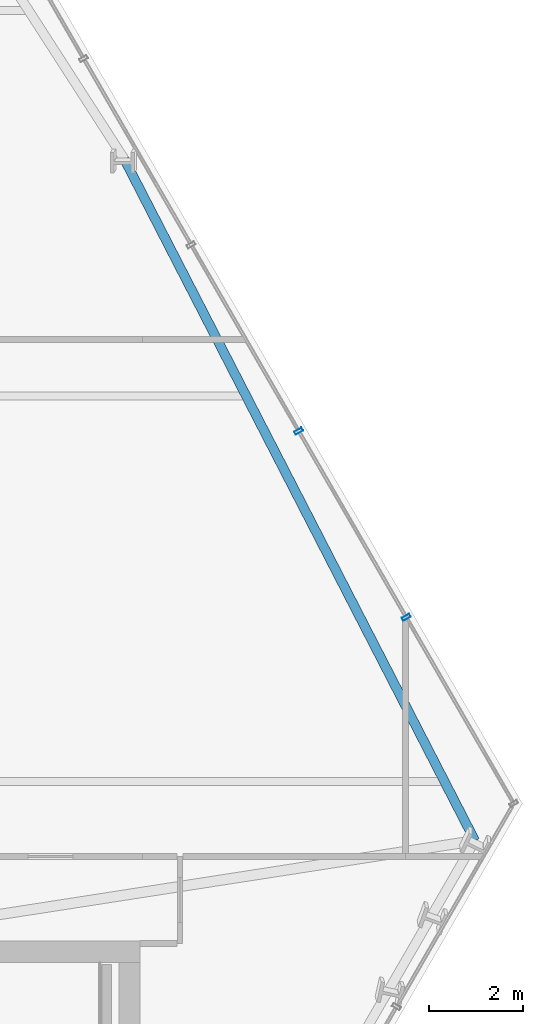
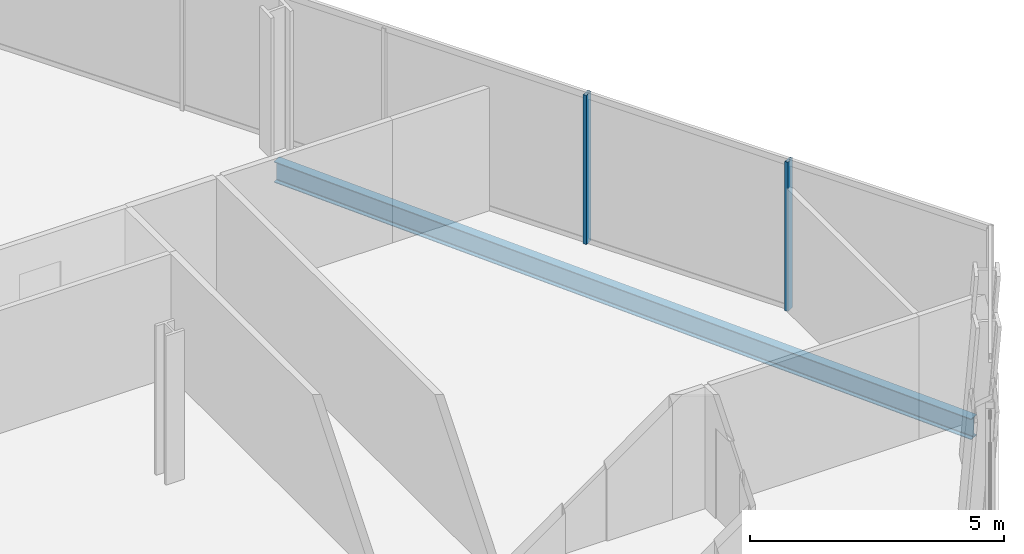
# One storey, part 19 of 32: 2 members, 1 beam, 1 element without a shape of its own.
"""IFC4 building model written with IfcOpenShell, lengths in metres."""

from ifc_helpers import new_model, si_unit, direction, frame, origin, origin_2d, place, context, subcontext, project, spatial, hollow_rectangle, i_section, extrude, material, layer, layer_set, material_profile, profile_set, type_object, element, aggregate, save


model = new_model("IFC4")

# Units and contexts
model_context = context("Model", 3, precision=1e-05, world=origin(), true_north=direction((0.0, 1.0)))
body_context = subcontext(model_context, "Body", "Model", "MODEL_VIEW")
ifc_project = project(units=[si_unit("LENGTHUNIT", "METRE"), si_unit("AREAUNIT", "SQUARE_METRE"), si_unit("VOLUMEUNIT", "CUBIC_METRE"), si_unit("PLANEANGLEUNIT", "RADIAN"), si_unit("MASSUNIT", "GRAM", prefix="KILO")], contexts=[model_context])

# Site, building, storey
site_placement = place(None, origin())
site = spatial("IfcSite", under=ifc_project, at=site_placement, CompositionType="ELEMENT")
building_placement = place(site_placement, origin())
building = spatial("IfcBuilding", under=site, at=building_placement, Name="Ndaravel Arena Tower", CompositionType="ELEMENT")
storey_placement = place(building_placement, frame((0.0, 0.0, 77.800048828125)))
storey = spatial("IfcBuildingStorey", under=building, at=storey_placement, Name="L17", CompositionType="ELEMENT", Elevation=77.800048828125)

# Beam
ifc_material_1 = material(Name="Steel S355", Category="steel")
ifc_material_profile_1 = material_profile(ifc_material_1, i_section(OverallWidth=0.199951171875, OverallDepth=0.5, WebThickness=0.01025390625, FlangeThickness=0.01611328125, FilletRadius=0.02099609375, at=origin_2d()), Name="IPE 500")
ifc_profile_set_1 = profile_set([ifc_material_profile_1], Name="Steel S355")
beam_type = type_object("IfcBeamType", Name="BM-SPAN-IPE500", PredefinedType="SPANDREL", material=ifc_profile_set_1)
beam_placement = place(storey_placement, frame((64.675537109375, 17.336669921875, -0.469970703125), z_axis=(-0.457437664156, 0.8892416901, 0.0), x_axis=(-0.8892416901, -0.457437664156, 0.0)))
element("IfcBeam", 1, at=beam_placement, inside=storey, type_object=beam_type, Name="L17 Perimeter Spandrel Beam SP-09", PredefinedType="SPANDREL", context=body_context, shape_type="SweptSolid", body=[
    extrude(i_section(OverallWidth=0.199951171875, OverallDepth=0.5, WebThickness=0.01025390625, FlangeThickness=0.01611328125, FilletRadius=0.02099609375, at=origin_2d()), origin(), (0.0, 0.0, 1.0), 16.305419921875),
])

# Curtain wall, members
ifc_material_2 = material(Name="Aluminium", Category="aluminium")
ifc_layer = layer(ifc_material_2, 0.179931640625)
ifc_layer_set = layer_set([ifc_layer], Name="Aluminium")
curtain_wall_type = type_object("IfcCurtainWallType", Name="CW-SYS-03", PredefinedType="NOTDEFINED", material=ifc_layer_set)
curtain_wall_placement = place(storey_placement, origin())
curtain_wall = element("IfcCurtainWall", 2, at=curtain_wall_placement, inside=storey, type_object=curtain_wall_type, Name="L17 Faceted Crystal Curtain Wall CW-L17-E03", PredefinedType="NOTDEFINED")
ifc_material_3 = material(Name="Aluminium", Category="aluminium")
ifc_material_profile_2 = material_profile(ifc_material_3, hollow_rectangle(XDim=0.074951171875, YDim=0.179931640625, WallThickness=0.00390625, at=origin_2d()), Name="CW MULLION 75x180x4")
ifc_profile_set_2 = profile_set([ifc_material_profile_2], Name="Aluminium")
member_type = type_object("IfcMemberType", Name="MEM-CW-MUL180", PredefinedType="MULLION", material=ifc_profile_set_2)
member_1_placement = place(storey_placement, frame((63.213623046875, 22.089599609375, 0.0), z_axis=(0.0, 0.0, 1.0), x_axis=(-0.5, 0.866025403784, 0.0)))
member_1 = element("IfcMember", 3, at=member_1_placement, type_object=member_type, Name="CW-L17-E03 Mullion 01", PredefinedType="MULLION", context=body_context, shape_type="SweptSolid", body=[
    extrude(hollow_rectangle(XDim=0.074951171875, YDim=0.179931640625, WallThickness=0.00390625, at=origin_2d()), origin(), (0.0, 0.0, 1.0), 3.579833984375),
])
member_2_placement = place(storey_placement, frame((60.92578125, 26.052490234375, 0.0), z_axis=(0.0, 0.0, 1.0), x_axis=(-0.5, 0.866025403784, 0.0)))
member_2 = element("IfcMember", 4, at=member_2_placement, type_object=member_type, Name="CW-L17-E03 Mullion 02", PredefinedType="MULLION", context=body_context, shape_type="SweptSolid", body=[
    extrude(hollow_rectangle(XDim=0.074951171875, YDim=0.179931640625, WallThickness=0.00390625, at=origin_2d()), origin(), (0.0, 0.0, 1.0), 3.579833984375),
])
aggregate(curtain_wall, [member_1, member_2])

save(model, "model.ifc")
